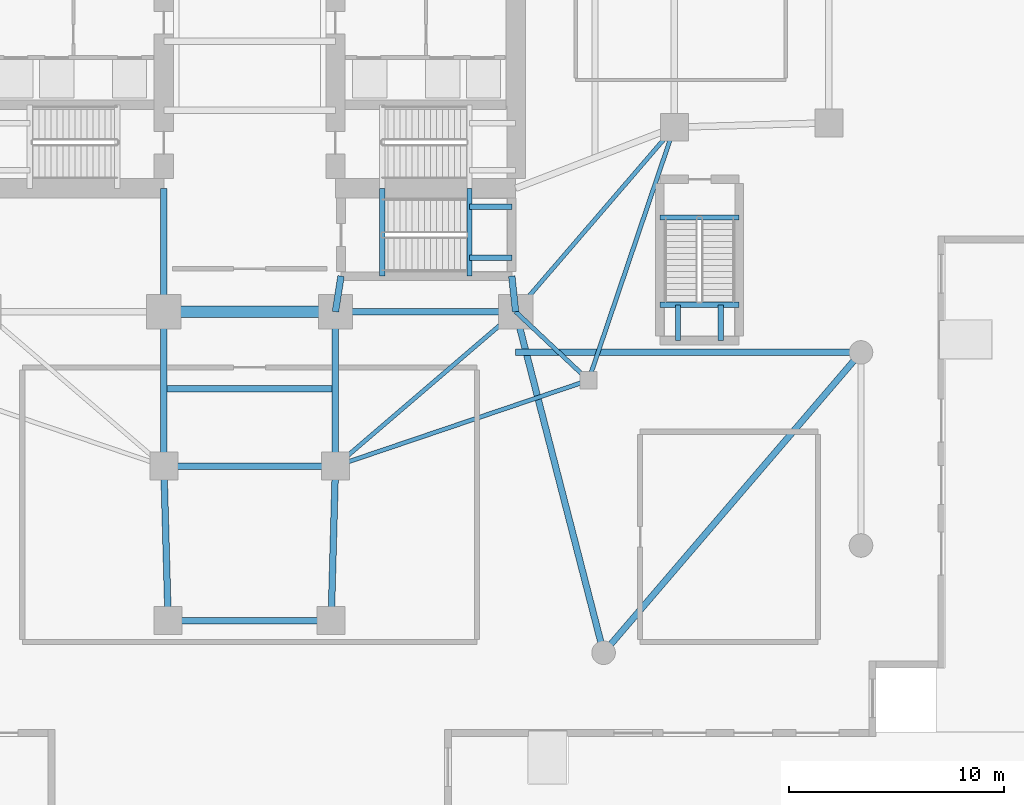
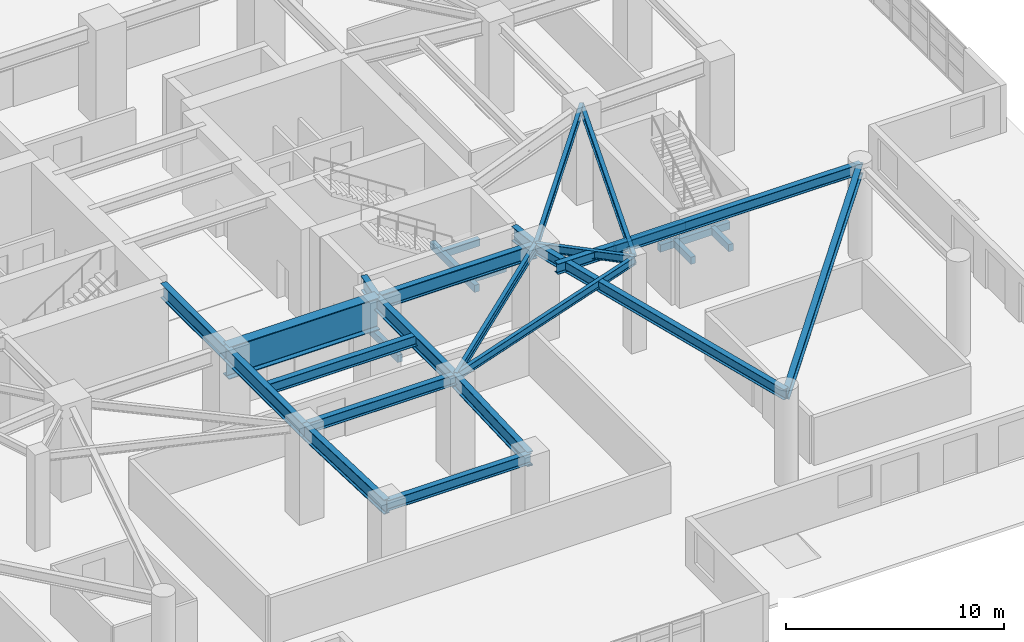
# One storey, part 3 of 24: 28 beams.
"""IFC4 building model written with IfcOpenShell, lengths in metres."""

from ifc_helpers import new_model, si_unit, direction, frame, origin, origin_2d, place, context, subcontext, project, spatial, rectangle, i_section, extrude, material, material_profile, profile_set, type_object, element, save


model = new_model("IFC4")

# Units and contexts
model_context = context("Model", 3, precision=1e-05, world=origin(), true_north=direction((0.0, 1.0)))
body_context = subcontext(model_context, "Body", "Model", "MODEL_VIEW")
ifc_project = project(units=[si_unit("LENGTHUNIT", "METRE"), si_unit("AREAUNIT", "SQUARE_METRE"), si_unit("VOLUMEUNIT", "CUBIC_METRE"), si_unit("PLANEANGLEUNIT", "RADIAN"), si_unit("MASSUNIT", "GRAM", prefix="KILO")], contexts=[model_context])

# Site, building, storey
site_placement = place(None, origin())
site = spatial("IfcSite", under=ifc_project, at=site_placement, CompositionType="ELEMENT")
building_placement = place(site_placement, origin())
building = spatial("IfcBuilding", under=site, at=building_placement, Name="Qingluan Cross Belvedere", CompositionType="ELEMENT")
storey_placement = place(building_placement, origin())
storey = spatial("IfcBuildingStorey", under=building, at=storey_placement, Name="L01", CompositionType="ELEMENT", Elevation=0.0)

# Beams
ifc_material_1 = material(Name="Concrete C45", Category="concrete")
ifc_material_profile_1 = material_profile(ifc_material_1, rectangle(XDim=0.25, YDim=0.39990234375, at=origin_2d()), Name="RC250x400")
ifc_profile_set_1 = profile_set([ifc_material_profile_1], Name="Concrete C45")
beam_type_1 = type_object("IfcBeamType", Name="RC_Lintel_RC250x400", PredefinedType="LINTEL", material=ifc_profile_set_1)
beam_1_placement = place(storey_placement, frame((6.179931640625, -10.93994140625, -0.199951171875), z_axis=(0.0, 1.0, 0.0), x_axis=(-1.0, 0.0, 0.0)))
element("IfcBeam", 1, at=beam_1_placement, inside=storey, type_object=beam_type_1, Name="Stair ST4 landing beam L01", PredefinedType="LINTEL", context=body_context, shape_type="SweptSolid", body=[
    extrude(rectangle(XDim=0.25, YDim=0.39990234375, at=origin_2d()), origin(), (0.0, 0.0, 1.0), 4.08984375),
])
beam_2_placement = place(storey_placement, frame((19.1201171875, -8.2099609375, -0.199951171875), z_axis=(1.0, 0.0, 0.0), x_axis=(0.0, 1.0, 0.0)))
element("IfcBeam", 2, at=beam_2_placement, inside=storey, type_object=beam_type_1, Name="Stair ST6 landing beam L01", PredefinedType="LINTEL", context=body_context, shape_type="SweptSolid", body=[
    extrude(rectangle(XDim=0.25, YDim=0.39990234375, at=origin_2d()), origin(), (0.0, 0.0, 1.0), 3.699951171875),
])
beam_3_placement = place(storey_placement, frame((10.25, -10.93994140625, 2.300048828125), z_axis=(0.0, 1.0, 0.0), x_axis=(-1.0, 0.0, 0.0)))
element("IfcBeam", 3, at=beam_3_placement, inside=storey, type_object=beam_type_1, Name="Stair ST4 beam A L01", PredefinedType="LINTEL", context=body_context, shape_type="SweptSolid", body=[
    extrude(rectangle(XDim=0.25, YDim=0.39990234375, at=origin_2d()), origin(), (0.0, 0.0, 1.0), 4.08984375),
])
for number, where, z_axis, x_axis, name in (
    (4, (12.219970703125, -10.090087890625, 2.300048828125), (-1.0, 0.0, 0.0), (0.0, -1.0, 0.0), "Stair ST4 beam B L01"),
    (5, (12.219970703125, -7.699951171875, 2.300048828125), (-1.0, 0.0, 0.0), (0.0, -1.0, 0.0), "Stair ST4 beam C L01"),
):
    element("IfcBeam", number, at=place(storey_placement, frame(where, z_axis=z_axis, x_axis=x_axis)), inside=storey, type_object=beam_type_1, Name=name, PredefinedType="LINTEL", context=body_context, shape_type="SweptSolid", body=[
        extrude(rectangle(XDim=0.25, YDim=0.39990234375, at=origin_2d()), origin(), (0.0, 0.0, 1.0), 1.969970703125),
    ])
beam_4_placement = place(storey_placement, frame((19.1201171875, -12.280029296875, 2.300048828125), z_axis=(1.0, 0.0, 0.0), x_axis=(0.0, 1.0, 0.0)))
element("IfcBeam", 6, at=beam_4_placement, inside=storey, type_object=beam_type_1, Name="Stair ST6 beam A L01", PredefinedType="LINTEL", context=body_context, shape_type="SweptSolid", body=[
    extrude(rectangle(XDim=0.25, YDim=0.39990234375, at=origin_2d()), origin(), (0.0, 0.0, 1.0), 3.699951171875),
])
for number, where, z_axis, x_axis, name in (
    (7, (19.969970703125, -13.949951171875, 2.300048828125), (0.0, 1.0, 0.0), (-1.0, 0.0, 0.0), "Stair ST6 beam B L01"),
    (8, (21.969970703125, -13.949951171875, 2.300048828125), (0.0, 1.0, 0.0), (-1.0, 0.0, 0.0), "Stair ST6 beam C L01"),
):
    element("IfcBeam", number, at=place(storey_placement, frame(where, z_axis=z_axis, x_axis=x_axis)), inside=storey, type_object=beam_type_1, Name=name, PredefinedType="LINTEL", context=body_context, shape_type="SweptSolid", body=[
        extrude(rectangle(XDim=0.25, YDim=0.39990234375, at=origin_2d()), origin(), (0.0, 0.0, 1.0), 1.669921875),
    ])
ifc_material_2 = material(Name="Steel Q420GJB", Category="steel")
ifc_material_profile_2 = material_profile(ifc_material_2, i_section(OverallWidth=0.300048828125, OverallDepth=0.587890625, WebThickness=0.011962890625, FlangeThickness=0.02001953125, FilletRadius=0.02392578125, at=origin_2d()), Name="HM588x300x12x20")
ifc_profile_set_2 = profile_set([ifc_material_profile_2], Name="Steel Q420GJB")
beam_type_2 = type_object("IfcBeamType", Name="Steel_Beam_HM588x300x12x20", PredefinedType="BEAM", material=ifc_profile_set_2)
for number, where, z_axis, x_axis, name in (
    (9, (-4.0, -19.800048828125, 4.85595703125), (1.0, 0.0, 0.0), (0.0, 1.0, 0.0), "Arm S tie L01"),
    (10, (-4.0, -16.199951171875, 4.85595703125), (1.0, 0.0, 0.0), (0.0, 1.0, 0.0), "Arm S beam L01"),
):
    element("IfcBeam", number, at=place(storey_placement, frame(where, z_axis=z_axis, x_axis=x_axis)), inside=storey, type_object=beam_type_2, Name=name, PredefinedType="BEAM", context=body_context, shape_type="SweptSolid", body=[
        extrude(i_section(OverallWidth=0.300048828125, OverallDepth=0.587890625, WebThickness=0.011962890625, FlangeThickness=0.02001953125, FilletRadius=0.02392578125, at=origin_2d()), origin(), (0.0, 0.0, 1.0), 8.0),
    ])
beam_5_placement = place(storey_placement, frame((-3.800048828125, -27.0, 4.85595703125), z_axis=(1.0, 0.0, 0.0), x_axis=(0.0, 1.0, 0.0)))
element("IfcBeam", 11, at=beam_5_placement, inside=storey, type_object=beam_type_2, Name="Arm S tip transverse beam L01", PredefinedType="BEAM", context=body_context, shape_type="SweptSolid", body=[
    extrude(i_section(OverallWidth=0.300048828125, OverallDepth=0.587890625, WebThickness=0.011962890625, FlangeThickness=0.02001953125, FilletRadius=0.02392578125, at=origin_2d()), origin(), (0.0, 0.0, 1.0), 7.60009765625),
])
beam_6_placement = place(storey_placement, frame((12.39990234375, -14.5, 4.85595703125), z_axis=(1.0, 0.0, 0.0), x_axis=(0.0, 1.0, 0.0)))
element("IfcBeam", 12, at=beam_6_placement, inside=storey, type_object=beam_type_2, Name="Podium quadrant tie beam L01-ESH1", PredefinedType="BEAM", context=body_context, shape_type="SweptSolid", body=[
    extrude(i_section(OverallWidth=0.300048828125, OverallDepth=0.587890625, WebThickness=0.011962890625, FlangeThickness=0.02001953125, FilletRadius=0.02392578125, at=origin_2d()), origin(), (0.0, 0.0, 1.0), 16.10009765625),
])
beam_7_placement = place(storey_placement, frame((12.39990234375, -12.60009765625, 4.85595703125), z_axis=(0.249700840873, -0.968323029814, 0.0), x_axis=(0.968323029814, 0.249700840873, 0.0)))
element("IfcBeam", 13, at=beam_7_placement, inside=storey, type_object=beam_type_2, Name="Podium quadrant tie beam L01-ESH3", PredefinedType="BEAM", context=body_context, shape_type="SweptSolid", body=[
    extrude(i_section(OverallWidth=0.300048828125, OverallDepth=0.587890625, WebThickness=0.011962890625, FlangeThickness=0.02001953125, FilletRadius=0.02392578125, at=origin_2d()), origin(), (0.0, 0.0, 1.0), 16.419921875),
])
beam_8_placement = place(storey_placement, frame((28.5, -14.5, 4.85595703125), z_axis=(-0.650791373456, -0.759256602365, 0.0), x_axis=(0.759256602365, -0.650791373456, 0.0)))
element("IfcBeam", 14, at=beam_8_placement, inside=storey, type_object=beam_type_2, Name="Podium quadrant tie beam L01-ES13", PredefinedType="BEAM", context=body_context, shape_type="SweptSolid", body=[
    extrude(i_section(OverallWidth=0.300048828125, OverallDepth=0.587890625, WebThickness=0.011962890625, FlangeThickness=0.02001953125, FilletRadius=0.02392578125, at=origin_2d()), origin(), (0.0, 0.0, 1.0), 18.439208984375),
])
ifc_material_3 = material(Name="Steel Q420GJB", Category="steel")
ifc_material_profile_3 = material_profile(ifc_material_3, i_section(OverallWidth=0.199951171875, OverallDepth=0.449951171875, WebThickness=0.009033203125, FlangeThickness=0.013916015625, FilletRadius=0.01611328125, at=origin_2d()), Name="HN450x200x9x14")
ifc_profile_set_3 = profile_set([ifc_material_profile_3], Name="Steel Q420GJB")
beam_type_3 = type_object("IfcBeamType", Name="Steel_Beam_HN450x200x9x14", PredefinedType="JOIST", material=ifc_profile_set_3)
beam_9_placement = place(storey_placement, frame((12.39990234375, -12.60009765625, 4.925048828125), z_axis=(0.728219948308, -0.685343495546, 0.0), x_axis=(0.685343495546, 0.728219948308, 0.0)))
element("IfcBeam", 15, at=beam_9_placement, inside=storey, type_object=beam_type_3, Name="Corner beam 1 L01-RSE", PredefinedType="JOIST", context=body_context, shape_type="SweptSolid", body=[
    extrude(i_section(OverallWidth=0.199951171875, OverallDepth=0.449951171875, WebThickness=0.009033203125, FlangeThickness=0.013916015625, FilletRadius=0.01611328125, at=origin_2d()), origin(), (0.0, 0.0, 1.0), 4.669189453125),
])
for number, where, z_axis, x_axis, name in (
    (16, (15.800048828125, -15.800048828125, 4.925048828125), (-0.947066283324, -0.321038089628, 0.0), (0.321038089628, -0.947066283324, 0.0), "Corner beam 2 L01-RSE"),
    (17, (15.800048828125, -15.800048828125, 4.925048828125), (0.321038089628, 0.947066283324, 0.0), (-0.947066283324, 0.321038089628, 0.0), "Corner beam 3 L01-RSE"),
):
    element("IfcBeam", number, at=place(storey_placement, frame(where, z_axis=z_axis, x_axis=x_axis)), inside=storey, type_object=beam_type_3, Name=name, PredefinedType="JOIST", context=body_context, shape_type="SweptSolid", body=[
        extrude(i_section(OverallWidth=0.199951171875, OverallDepth=0.449951171875, WebThickness=0.009033203125, FlangeThickness=0.013916015625, FilletRadius=0.01611328125, at=origin_2d()), origin(), (0.0, 0.0, 1.0), 12.45947265625),
    ])
beam_10_placement = place(storey_placement, frame((12.39990234375, -12.60009765625, 4.925048828125), z_axis=(0.652245077546, 0.75800815221, 0.0), x_axis=(-0.75800815221, 0.652245077546, 0.0)))
element("IfcBeam", 18, at=beam_10_placement, inside=storey, type_object=beam_type_3, Name="Corner beam 4 L01-RSE", PredefinedType="JOIST", context=body_context, shape_type="SweptSolid", body=[
    extrude(i_section(OverallWidth=0.199951171875, OverallDepth=0.449951171875, WebThickness=0.009033203125, FlangeThickness=0.013916015625, FilletRadius=0.01611328125, at=origin_2d()), origin(), (0.0, 0.0, 1.0), 11.345703125),
])
beam_11_placement = place(storey_placement, frame((12.39990234375, -12.60009765625, 4.925048828125), z_axis=(-0.759255044656, -0.650793190779, 0.0), x_axis=(0.650793190779, -0.759255044656, 0.0)))
element("IfcBeam", 19, at=beam_11_placement, inside=storey, type_object=beam_type_3, Name="Corner beam 5 L01-RSE", PredefinedType="JOIST", context=body_context, shape_type="SweptSolid", body=[
    extrude(i_section(OverallWidth=0.199951171875, OverallDepth=0.449951171875, WebThickness=0.009033203125, FlangeThickness=0.013916015625, FilletRadius=0.01611328125, at=origin_2d()), origin(), (0.0, 0.0, 1.0), 11.063232421875),
])
ifc_material_4 = material(Name="Steel Q420GJB", Category="steel")
ifc_material_profile_4 = material_profile(ifc_material_4, i_section(OverallWidth=0.305908203125, OverallDepth=0.81396484375, WebThickness=0.02099609375, FlangeThickness=0.0400390625, FilletRadius=0.030029296875, at=origin_2d()), Name="HEM800")
ifc_profile_set_4 = profile_set([ifc_material_profile_4], Name="Steel Q420GJB")
beam_type_4 = type_object("IfcBeamType", Name="Steel_Girder_HEM800", PredefinedType="USERDEFINED", material=ifc_profile_set_4)
beam_12_placement = place(storey_placement, frame((4.0, -12.60009765625, 4.742919921875), z_axis=(1.0, 0.0, 0.0), x_axis=(0.0, 1.0, 0.0)))
element("IfcBeam", 20, at=beam_12_placement, inside=storey, type_object=beam_type_4, Name="Hub girder L01-HG-S3", ObjectType="GIRDER", PredefinedType="USERDEFINED", context=body_context, shape_type="SweptSolid", body=[
    extrude(i_section(OverallWidth=0.305908203125, OverallDepth=0.81396484375, WebThickness=0.02099609375, FlangeThickness=0.0400390625, FilletRadius=0.030029296875, at=origin_2d()), origin(), (0.0, 0.0, 1.0), 8.39990234375),
])
beam_13_placement = place(storey_placement, frame((12.39990234375, -12.60009765625, 4.742919921875), z_axis=(-0.107751337451, 0.994177876075, 0.0), x_axis=(-0.994177876075, -0.107751337451, 0.0)))
element("IfcBeam", 21, at=beam_13_placement, inside=storey, type_object=beam_type_4, Name="Hub girder L01-HG-E1", ObjectType="GIRDER", PredefinedType="USERDEFINED", context=body_context, shape_type="SweptSolid", body=[
    extrude(i_section(OverallWidth=0.305908203125, OverallDepth=0.81396484375, WebThickness=0.02099609375, FlangeThickness=0.0400390625, FilletRadius=0.030029296875, at=origin_2d()), origin(), (0.0, 0.0, 1.0), 1.669921875),
])
beam_14_placement = place(storey_placement, frame((-4.0, -12.60009765625, 4.742919921875), z_axis=(0.0, 1.0, 0.0), x_axis=(-1.0, 0.0, 0.0)))
element("IfcBeam", 22, at=beam_14_placement, inside=storey, type_object=beam_type_4, Name="Hub girder L01-HG-CW", ObjectType="GIRDER", PredefinedType="USERDEFINED", context=body_context, shape_type="SweptSolid", body=[
    extrude(i_section(OverallWidth=0.305908203125, OverallDepth=0.81396484375, WebThickness=0.02099609375, FlangeThickness=0.0400390625, FilletRadius=0.030029296875, at=origin_2d()), origin(), (0.0, 0.0, 1.0), 5.75),
])
beam_15_placement = place(storey_placement, frame((4.0, -12.60009765625, 4.742919921875), z_axis=(0.154731433337, 0.987956569662, 0.0), x_axis=(-0.987956569662, 0.154731433337, 0.0)))
element("IfcBeam", 23, at=beam_15_placement, inside=storey, type_object=beam_type_4, Name="Hub girder L01-HG-CE", ObjectType="GIRDER", PredefinedType="USERDEFINED", context=body_context, shape_type="SweptSolid", body=[
    extrude(i_section(OverallWidth=0.305908203125, OverallDepth=0.81396484375, WebThickness=0.02099609375, FlangeThickness=0.0400390625, FilletRadius=0.030029296875, at=origin_2d()), origin(), (0.0, 0.0, 1.0), 1.680419921875),
])
for number, where, z_axis, x_axis, name in (
    (24, (-4.0, -12.60009765625, 4.742919921875), (0.0, -1.0, 0.0), (1.0, 0.0, 0.0), "Arm S radial girder A L01"),
    (25, (4.0, -12.60009765625, 4.742919921875), (0.0, -1.0, 0.0), (1.0, 0.0, 0.0), "Arm S radial girder B L01"),
):
    element("IfcBeam", number, at=place(storey_placement, frame(where, z_axis=z_axis, x_axis=x_axis)), inside=storey, type_object=beam_type_4, Name=name, ObjectType="GIRDER", PredefinedType="USERDEFINED", context=body_context, shape_type="SweptSolid", body=[
        extrude(i_section(OverallWidth=0.305908203125, OverallDepth=0.81396484375, WebThickness=0.02099609375, FlangeThickness=0.0400390625, FilletRadius=0.030029296875, at=origin_2d()), origin(), (0.0, 0.0, 1.0), 7.199951171875),
    ])
for number, where, z_axis, x_axis, name in (
    (26, (-4.0, -19.800048828125, 4.742919921875), (0.027760481514, -0.999614603568, 0.0), (0.999614603568, 0.027760481514, 0.0), "Arm S outer radial girder A L01"),
    (27, (4.0, -19.800048828125, 4.742919921875), (-0.027760481514, -0.999614603568, 0.0), (0.999614603568, -0.027760481514, 0.0), "Arm S outer radial girder B L01"),
):
    element("IfcBeam", number, at=place(storey_placement, frame(where, z_axis=z_axis, x_axis=x_axis)), inside=storey, type_object=beam_type_4, Name=name, ObjectType="GIRDER", PredefinedType="USERDEFINED", context=body_context, shape_type="SweptSolid", body=[
        extrude(i_section(OverallWidth=0.305908203125, OverallDepth=0.81396484375, WebThickness=0.02099609375, FlangeThickness=0.0400390625, FilletRadius=0.030029296875, at=origin_2d()), origin(), (0.0, 0.0, 1.0), 7.20263671875),
    ])
ifc_material_5 = material(Name="Steel Q420GJB", Category="steel")
ifc_material_profile_5 = material_profile(ifc_material_5, i_section(OverallWidth=0.550048828125, OverallDepth=1.800048828125, WebThickness=0.028076171875, FlangeThickness=0.044921875, FilletRadius=0.02392578125, at=origin_2d()), Name="WTG1800x550x28x45")
ifc_profile_set_5 = profile_set([ifc_material_profile_5], Name="Steel Q420GJB")
beam_type_5 = type_object("IfcBeamType", Name="Steel_Girder_WTG1800x550x28x45", PredefinedType="USERDEFINED", material=ifc_profile_set_5)
beam_16_placement = place(storey_placement, frame((-4.0, -12.60009765625, 4.25), z_axis=(1.0, 0.0, 0.0), x_axis=(0.0, 1.0, 0.0)))
element("IfcBeam", 28, at=beam_16_placement, inside=storey, type_object=beam_type_5, Name="Arrival lobby transfer girder TG3 (WTG1800x550x28x45)", ObjectType="GIRDER", PredefinedType="USERDEFINED", context=body_context, shape_type="SweptSolid", body=[
    extrude(i_section(OverallWidth=0.550048828125, OverallDepth=1.800048828125, WebThickness=0.028076171875, FlangeThickness=0.044921875, FilletRadius=0.02392578125, at=origin_2d()), origin(), (0.0, 0.0, 1.0), 8.0),
])

save(model, "model.ifc")
